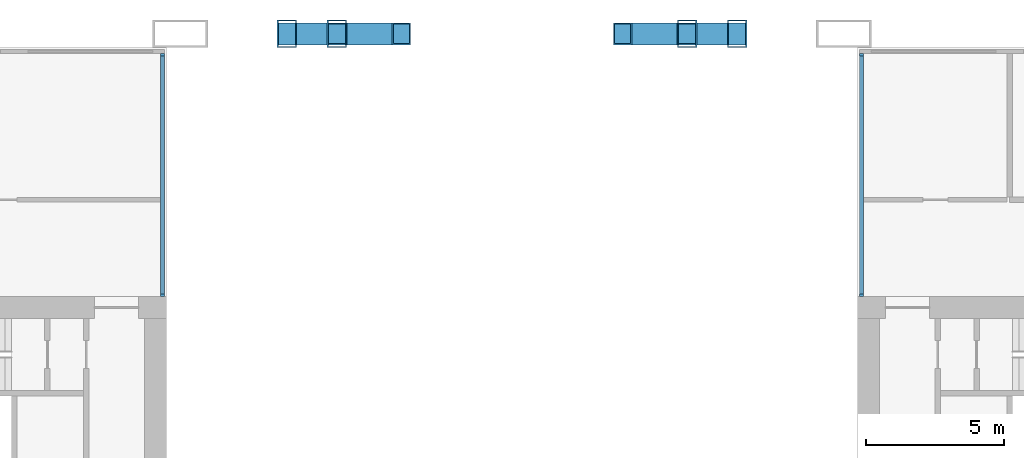
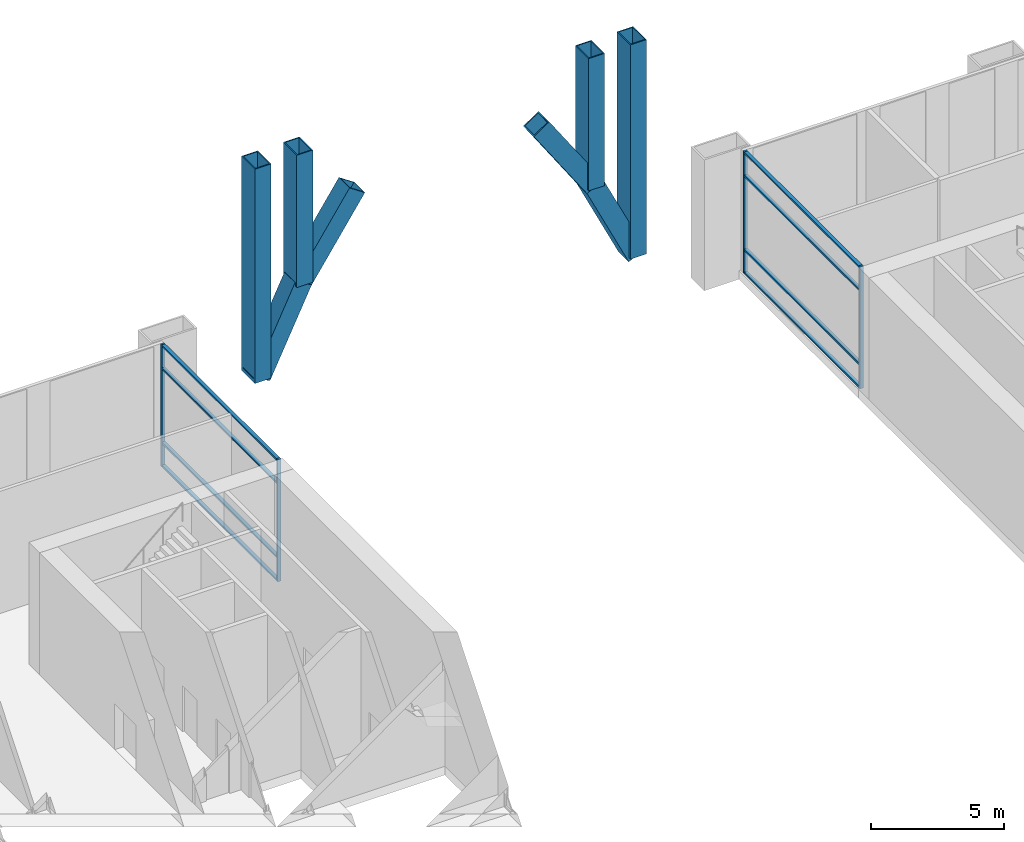
# One storey, part 13 of 25: 20 members, 2 elements without a shape of their own.
"""IFC4 building model written with IfcOpenShell, lengths in metres."""

from ifc_helpers import new_model, si_unit, direction, frame, origin, origin_2d, place, context, subcontext, project, spatial, rectangle, hollow_rectangle, extrude, material, material_profile, profile_set, type_object, element, aggregate, save


model = new_model("IFC4")

# Units and contexts
model_context = context("Model", 3, precision=1e-05, world=origin(), true_north=direction((0.0, 1.0)))
body_context = subcontext(model_context, "Body", "Model", "MODEL_VIEW")
ifc_project = project(units=[si_unit("LENGTHUNIT", "METRE"), si_unit("AREAUNIT", "SQUARE_METRE"), si_unit("VOLUMEUNIT", "CUBIC_METRE"), si_unit("PLANEANGLEUNIT", "RADIAN"), si_unit("MASSUNIT", "GRAM", prefix="KILO")], contexts=[model_context])

# Site, building, storey
site_placement = place(None, origin())
site = spatial("IfcSite", under=ifc_project, at=site_placement, CompositionType="ELEMENT")
building_placement = place(site_placement, origin())
building = spatial("IfcBuilding", under=site, at=building_placement, Name="Kitamizu Gate Tower and Museum", CompositionType="ELEMENT")
storey_placement = place(building_placement, frame((0.0, 0.0, 12.0)))
storey = spatial("IfcBuildingStorey", under=building, at=storey_placement, Name="L02", CompositionType="ELEMENT", Elevation=12.0)

# Members
ifc_material_1 = material(Name="Steel SM490A bronze coated", Category="steel")
ifc_material_profile_1 = material_profile(ifc_material_1, hollow_rectangle(XDim=0.800048828125, YDim=0.800048828125, WallThickness=0.050048828125, at=origin_2d()), Name="BOX 800x800x50")
ifc_profile_set_1 = profile_set([ifc_material_profile_1], Name="Steel SM490A bronze coated")
member_type_1 = type_object("IfcMemberType", Name="Arch rib AR1 BOX 800x800x50", PredefinedType="USERDEFINED", material=ifc_profile_set_1)
member_1_placement = place(storey_placement, frame((27.85595703125, 48.0, 2.165771484375), z_axis=(0.433123898235, 0.0, 0.901334393429), x_axis=(0.0, 1.0, 0.0)))
element("IfcMember", 1, at=member_1_placement, inside=storey, type_object=member_type_1, Name="Arch rib NW-3", ObjectType="ARCH RIB", PredefinedType="USERDEFINED", context=body_context, shape_type="SweptSolid", body=[
    extrude(hollow_rectangle(XDim=0.800048828125, YDim=0.800048828125, WallThickness=0.050048828125, at=origin_2d()), origin(), (0.0, 0.0, 1.0), 4.181884765625),
])
member_2_placement = place(storey_placement, frame((29.667236328125, 48.0, 5.93505859375), z_axis=(0.558484664195, 0.0, 0.829514846075), x_axis=(0.0, 1.0, 0.0)))
element("IfcMember", 2, at=member_2_placement, inside=storey, type_object=member_type_1, Name="Arch rib NW-4", ObjectType="ARCH RIB", PredefinedType="USERDEFINED", context=body_context, shape_type="SweptSolid", body=[
    extrude(hollow_rectangle(XDim=0.800048828125, YDim=0.800048828125, WallThickness=0.050048828125, at=origin_2d()), origin(), (0.0, 0.0, 1.0), 4.177001953125),
])
member_3_placement = place(storey_placement, frame((44.14404296875, 48.0, 2.165771484375), z_axis=(-0.433123898235, 0.0, 0.901334393429), x_axis=(0.0, -1.0, 0.0)))
element("IfcMember", 3, at=member_3_placement, inside=storey, type_object=member_type_1, Name="Arch rib NE-3", ObjectType="ARCH RIB", PredefinedType="USERDEFINED", context=body_context, shape_type="SweptSolid", body=[
    extrude(hollow_rectangle(XDim=0.800048828125, YDim=0.800048828125, WallThickness=0.050048828125, at=origin_2d()), origin(), (0.0, 0.0, 1.0), 4.181884765625),
])
member_4_placement = place(storey_placement, frame((42.332763671875, 48.0, 5.93505859375), z_axis=(-0.558484664195, 0.0, 0.829514846075), x_axis=(0.0, -1.0, 0.0)))
element("IfcMember", 4, at=member_4_placement, inside=storey, type_object=member_type_1, Name="Arch rib NE-4", ObjectType="ARCH RIB", PredefinedType="USERDEFINED", context=body_context, shape_type="SweptSolid", body=[
    extrude(hollow_rectangle(XDim=0.800048828125, YDim=0.800048828125, WallThickness=0.050048828125, at=origin_2d()), origin(), (0.0, 0.0, 1.0), 4.177001953125),
])
ifc_material_2 = material(Name="Steel SM490A bronze coated", Category="steel")
ifc_material_profile_2 = material_profile(ifc_material_2, hollow_rectangle(XDim=0.699951171875, YDim=1.0, WallThickness=0.044921875, at=origin_2d()), Name="BOX 700x1000x45")
ifc_profile_set_2 = profile_set([ifc_material_profile_2], Name="Steel SM490A bronze coated")
member_type_2 = type_object("IfcMemberType", Name="Arch rib tie post AP2 BOX 700x1000x45", PredefinedType="USERDEFINED", material=ifc_profile_set_2)
member_5_placement = place(storey_placement, frame((27.85595703125, 48.0, 2.165771484375), z_axis=(0.0, 0.0, 1.0), x_axis=(1.0, 0.0, 0.0)))
element("IfcMember", 5, at=member_5_placement, inside=storey, type_object=member_type_2, Name="Arch rib tie post NW-2", ObjectType="ARCH POST", PredefinedType="USERDEFINED", context=body_context, shape_type="SweptSolid", body=[
    extrude(hollow_rectangle(XDim=0.699951171875, YDim=1.0, WallThickness=0.044921875, at=origin_2d()), origin(), (0.0, 0.0, 1.0), 9.834228515625),
])
member_6_placement = place(storey_placement, frame((29.667236328125, 48.0, 5.93505859375), z_axis=(0.0, 0.0, 1.0), x_axis=(1.0, 0.0, 0.0)))
element("IfcMember", 6, at=member_6_placement, inside=storey, type_object=member_type_2, Name="Arch rib tie post NW-3", ObjectType="ARCH POST", PredefinedType="USERDEFINED", context=body_context, shape_type="SweptSolid", body=[
    extrude(hollow_rectangle(XDim=0.699951171875, YDim=1.0, WallThickness=0.044921875, at=origin_2d()), origin(), (0.0, 0.0, 1.0), 6.06494140625),
])
member_7_placement = place(storey_placement, frame((44.14404296875, 48.0, 2.165771484375), z_axis=(0.0, 0.0, 1.0), x_axis=(1.0, 0.0, 0.0)))
element("IfcMember", 7, at=member_7_placement, inside=storey, type_object=member_type_2, Name="Arch rib tie post NE-2", ObjectType="ARCH POST", PredefinedType="USERDEFINED", context=body_context, shape_type="SweptSolid", body=[
    extrude(hollow_rectangle(XDim=0.699951171875, YDim=1.0, WallThickness=0.044921875, at=origin_2d()), origin(), (0.0, 0.0, 1.0), 9.834228515625),
])
member_8_placement = place(storey_placement, frame((42.332763671875, 48.0, 5.93505859375), z_axis=(0.0, 0.0, 1.0), x_axis=(1.0, 0.0, 0.0)))
element("IfcMember", 8, at=member_8_placement, inside=storey, type_object=member_type_2, Name="Arch rib tie post NE-3", ObjectType="ARCH POST", PredefinedType="USERDEFINED", context=body_context, shape_type="SweptSolid", body=[
    extrude(hollow_rectangle(XDim=0.699951171875, YDim=1.0, WallThickness=0.044921875, at=origin_2d()), origin(), (0.0, 0.0, 1.0), 6.06494140625),
])

# Curtain wall, members
ifc_material_3 = material(Name="Bronze anodised aluminium frame, tinted triple glazing", Category="aluminium")
curtain_wall_type = type_object("IfcCurtainWallType", Name="CURTAIN WALL TYPE A PODIUM", PredefinedType="NOTDEFINED", material=ifc_material_3)
curtain_wall_1_placement = place(storey_placement, origin())
curtain_wall_1 = element("IfcCurtainWall", 9, at=curtain_wall_1_placement, inside=storey, type_object=curtain_wall_type, Name="Curtain wall CW-A east L02", PredefinedType="NOTDEFINED")
ifc_material_4 = material(Name="Bronze anodised aluminium", Category="aluminium")
ifc_material_profile_3 = material_profile(ifc_material_4, rectangle(XDim=0.090087890625, YDim=0.14990234375, at=origin_2d()), Name="AL 90X150")
ifc_profile_set_3 = profile_set([ifc_material_profile_3], Name="Bronze anodised aluminium")
member_type_3 = type_object("IfcMemberType", Name="MULLION 90 X 150 TYPE A", PredefinedType="MULLION", material=ifc_profile_set_3)
member_9_placement = place(storey_placement, frame((23.364990234375, 38.544921875, 0.0), z_axis=(0.0, 0.0, 1.0), x_axis=(0.0, 1.0, 0.0)))
member_9 = element("IfcMember", 10, at=member_9_placement, type_object=member_type_3, Name="CW-A mullion 1", PredefinedType="MULLION", context=body_context, shape_type="SweptSolid", body=[
    extrude(rectangle(XDim=0.090087890625, YDim=0.14990234375, at=origin_2d()), origin(), (0.0, 0.0, 1.0), 5.60009765625),
])
member_10_placement = place(storey_placement, frame((23.364990234375, 47.2451171875, 0.0), z_axis=(0.0, 0.0, 1.0), x_axis=(0.0, 1.0, 0.0)))
member_10 = element("IfcMember", 11, at=member_10_placement, type_object=member_type_3, Name="CW-A mullion 2", PredefinedType="MULLION", context=body_context, shape_type="SweptSolid", body=[
    extrude(rectangle(XDim=0.090087890625, YDim=0.14990234375, at=origin_2d()), origin(), (0.0, 0.0, 1.0), 5.60009765625),
])

curtain_wall_2_placement = place(storey_placement, origin())
curtain_wall_2 = element("IfcCurtainWall", 12, at=curtain_wall_2_placement, inside=storey, type_object=curtain_wall_type, Name="Curtain wall CW-A west L02", PredefinedType="NOTDEFINED")
member_11_placement = place(storey_placement, frame((48.635009765625, 38.544921875, 0.0), z_axis=(0.0, 0.0, 1.0), x_axis=(0.0, 1.0, 0.0)))
member_11 = element("IfcMember", 13, at=member_11_placement, type_object=member_type_3, Name="CW-A mullion 1", PredefinedType="MULLION", context=body_context, shape_type="SweptSolid", body=[
    extrude(rectangle(XDim=0.090087890625, YDim=0.14990234375, at=origin_2d()), origin(), (0.0, 0.0, 1.0), 5.60009765625),
])
member_12_placement = place(storey_placement, frame((48.635009765625, 47.2451171875, 0.0), z_axis=(0.0, 0.0, 1.0), x_axis=(0.0, 1.0, 0.0)))
member_12 = element("IfcMember", 14, at=member_12_placement, type_object=member_type_3, Name="CW-A mullion 2", PredefinedType="MULLION", context=body_context, shape_type="SweptSolid", body=[
    extrude(rectangle(XDim=0.090087890625, YDim=0.14990234375, at=origin_2d()), origin(), (0.0, 0.0, 1.0), 5.60009765625),
])

# Member
ifc_material_5 = material(Name="Bronze anodised aluminium", Category="aluminium")
ifc_material_profile_4 = material_profile(ifc_material_5, rectangle(XDim=0.14990234375, YDim=0.080078125, at=origin_2d()), Name="AL 80X150")
ifc_profile_set_4 = profile_set([ifc_material_profile_4], Name="Bronze anodised aluminium")
member_type_4 = type_object("IfcMemberType", Name="TRANSOM 80 X 150 TYPE A", PredefinedType="USERDEFINED", material=ifc_profile_set_4)
member_13_placement = place(storey_placement, frame((23.364990234375, 38.590087890625, 0.0400390625), z_axis=(0.0, 1.0, 0.0), x_axis=(-1.0, 0.0, 0.0)))
member_13 = element("IfcMember", 15, at=member_13_placement, type_object=member_type_4, Name="CW-A transom 1.1", ObjectType="TRANSOM", PredefinedType="USERDEFINED", context=body_context, shape_type="SweptSolid", body=[
    extrude(rectangle(XDim=0.14990234375, YDim=0.080078125, at=origin_2d()), origin(), (0.0, 0.0, 1.0), 8.60986328125),
])

member_14_placement = place(storey_placement, frame((23.364990234375, 38.590087890625, 1.10009765625), z_axis=(0.0, 1.0, 0.0), x_axis=(-1.0, 0.0, 0.0)))
member_14 = element("IfcMember", 16, at=member_14_placement, type_object=member_type_4, Name="CW-A transom 1.2", ObjectType="TRANSOM", PredefinedType="USERDEFINED", context=body_context, shape_type="SweptSolid", body=[
    extrude(rectangle(XDim=0.14990234375, YDim=0.080078125, at=origin_2d()), origin(), (0.0, 0.0, 1.0), 8.60986328125),
])

member_15_placement = place(storey_placement, frame((23.364990234375, 38.590087890625, 4.5), z_axis=(0.0, 1.0, 0.0), x_axis=(-1.0, 0.0, 0.0)))
member_15 = element("IfcMember", 17, at=member_15_placement, type_object=member_type_4, Name="CW-A transom 1.3", ObjectType="TRANSOM", PredefinedType="USERDEFINED", context=body_context, shape_type="SweptSolid", body=[
    extrude(rectangle(XDim=0.14990234375, YDim=0.080078125, at=origin_2d()), origin(), (0.0, 0.0, 1.0), 8.60986328125),
])

member_16_placement = place(storey_placement, frame((23.364990234375, 38.590087890625, 5.56005859375), z_axis=(0.0, 1.0, 0.0), x_axis=(-1.0, 0.0, 0.0)))
member_16 = element("IfcMember", 18, at=member_16_placement, type_object=member_type_4, Name="CW-A transom 1.4", ObjectType="TRANSOM", PredefinedType="USERDEFINED", context=body_context, shape_type="SweptSolid", body=[
    extrude(rectangle(XDim=0.14990234375, YDim=0.080078125, at=origin_2d()), origin(), (0.0, 0.0, 1.0), 8.60986328125),
])

aggregate(curtain_wall_1, [member_9, member_10, member_13, member_14, member_15, member_16])

member_17_placement = place(storey_placement, frame((48.635009765625, 38.590087890625, 0.0400390625), z_axis=(0.0, 1.0, 0.0), x_axis=(-1.0, 0.0, 0.0)))
member_17 = element("IfcMember", 19, at=member_17_placement, type_object=member_type_4, Name="CW-A transom 1.1", ObjectType="TRANSOM", PredefinedType="USERDEFINED", context=body_context, shape_type="SweptSolid", body=[
    extrude(rectangle(XDim=0.14990234375, YDim=0.080078125, at=origin_2d()), origin(), (0.0, 0.0, 1.0), 8.60986328125),
])

member_18_placement = place(storey_placement, frame((48.635009765625, 38.590087890625, 1.10009765625), z_axis=(0.0, 1.0, 0.0), x_axis=(-1.0, 0.0, 0.0)))
member_18 = element("IfcMember", 20, at=member_18_placement, type_object=member_type_4, Name="CW-A transom 1.2", ObjectType="TRANSOM", PredefinedType="USERDEFINED", context=body_context, shape_type="SweptSolid", body=[
    extrude(rectangle(XDim=0.14990234375, YDim=0.080078125, at=origin_2d()), origin(), (0.0, 0.0, 1.0), 8.60986328125),
])

member_19_placement = place(storey_placement, frame((48.635009765625, 38.590087890625, 4.5), z_axis=(0.0, 1.0, 0.0), x_axis=(-1.0, 0.0, 0.0)))
member_19 = element("IfcMember", 21, at=member_19_placement, type_object=member_type_4, Name="CW-A transom 1.3", ObjectType="TRANSOM", PredefinedType="USERDEFINED", context=body_context, shape_type="SweptSolid", body=[
    extrude(rectangle(XDim=0.14990234375, YDim=0.080078125, at=origin_2d()), origin(), (0.0, 0.0, 1.0), 8.60986328125),
])

member_20_placement = place(storey_placement, frame((48.635009765625, 38.590087890625, 5.56005859375), z_axis=(0.0, 1.0, 0.0), x_axis=(-1.0, 0.0, 0.0)))
member_20 = element("IfcMember", 22, at=member_20_placement, type_object=member_type_4, Name="CW-A transom 1.4", ObjectType="TRANSOM", PredefinedType="USERDEFINED", context=body_context, shape_type="SweptSolid", body=[
    extrude(rectangle(XDim=0.14990234375, YDim=0.080078125, at=origin_2d()), origin(), (0.0, 0.0, 1.0), 8.60986328125),
])

aggregate(curtain_wall_2, [member_11, member_12, member_17, member_18, member_19, member_20])

save(model, "model.ifc")
